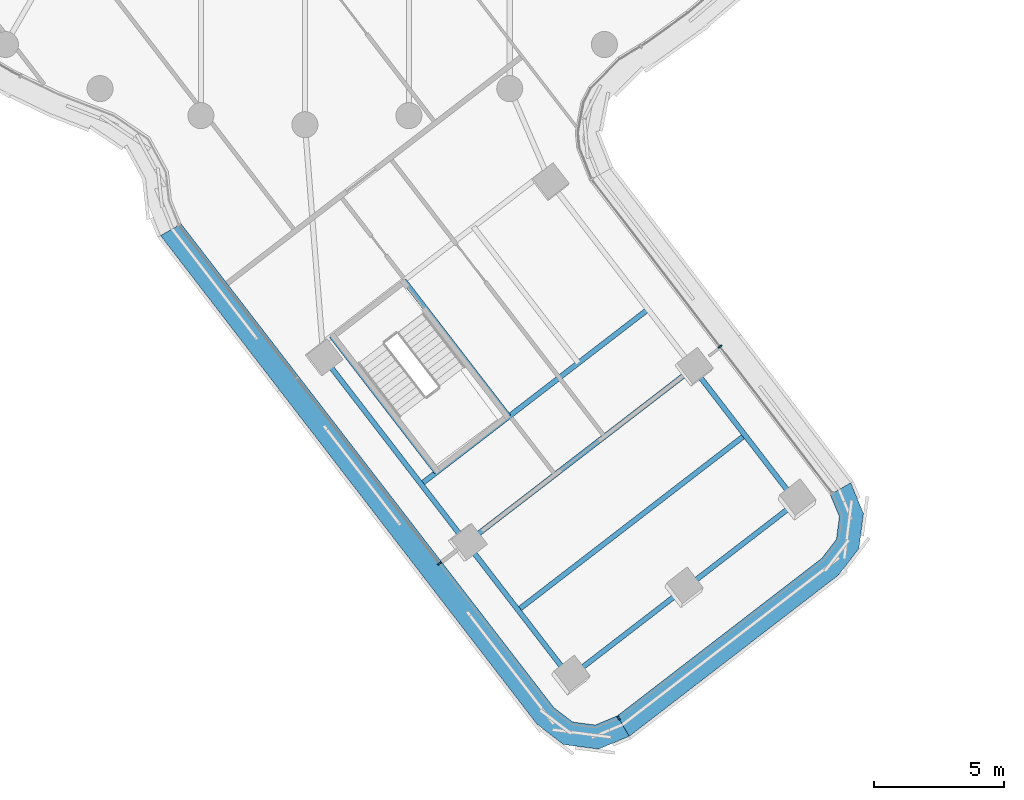
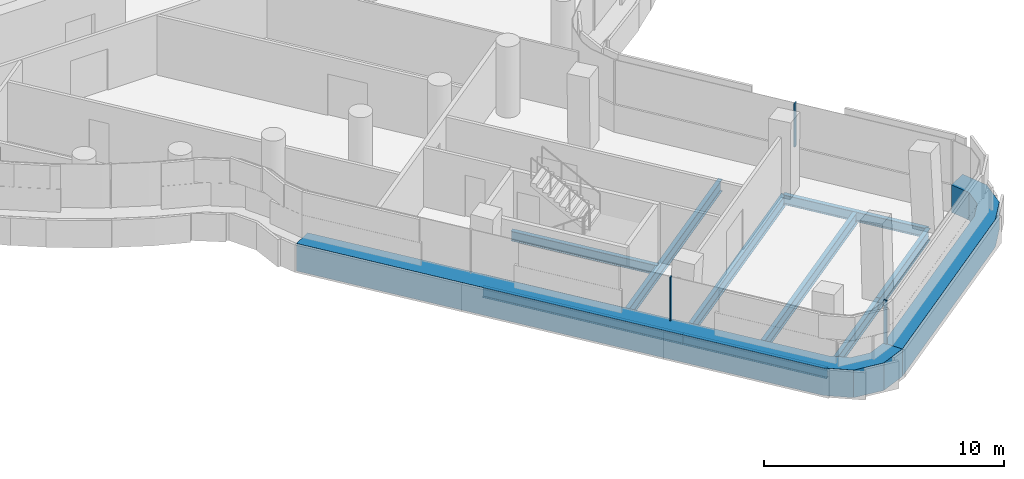
# One storey, part 4 of 33: 10 beams, 5 members, 3 elements without a shape of their own.
"""IFC4 building model written with IfcOpenShell, lengths in metres."""

import ifcopenshell
import ifcopenshell.guid

model = None  # the IFC model being written
_history = None  # IfcOwnerHistory: only IFC2X3 demands one
_inside = {}  # id of a spatial element -> (the spatial element, [elements in it])
_under = {}  # id of a project, library or spatial element -> (it, [spatial elements below it])
_declared = {}  # id of a project -> (the project, [libraries it declares])
_typed = {}  # id of a type object -> (the type object, [elements of that type])
_made_of = {}  # id of a material, layer set ... -> (it, [elements and type objects made of it])


def new_model(schema):
    """Start an empty IFC model of exactly this schema.

    Asked for "IFC4X3", IfcOpenShell would pick the latest addendum, in which some entities
    have other attributes; the version numbers below select the first issue.
    IFC2X3 requires an IfcOwnerHistory on every rooted entity: one is made here for all.
    """
    global model, _history
    if schema == "IFC4X3":
        model = ifcopenshell.file(schema_version=(4, 3, 0, 0))
    else:
        model = ifcopenshell.file(schema=schema)
    _inside.clear()
    _under.clear()
    _declared.clear()
    _typed.clear()
    _made_of.clear()
    _history = None
    if model.schema == "IFC2X3":
        org = make("IfcOrganization", Name="unknown")
        user = make(
            "IfcPersonAndOrganization",
            ThePerson=make("IfcPerson", FamilyName="unknown"),
            TheOrganization=org,
        )
        app = make(
            "IfcApplication",
            ApplicationDeveloper=org,
            Version="unknown",
            ApplicationFullName="unknown",
            ApplicationIdentifier="unknown",
        )
        _history = make(
            "IfcOwnerHistory",
            OwningUser=user,
            OwningApplication=app,
            ChangeAction="ADDED",
            CreationDate=0,
        )
    return model


def make(cls, **values):
    """One entity of the class cls with the attributes given. An attribute that is None is left unset."""
    return model.create_entity(
        cls, **{name: value for name, value in values.items() if value is not None}
    )


def rooted(cls, **values):
    """An entity with a GlobalId (a new one), such as an element, a storey or a relation."""
    return make(cls, GlobalId=ifcopenshell.guid.new(), OwnerHistory=_history, **values)


def si_unit(unit_type, name, prefix=None):
    """IfcSIUnit, for example si_unit("LENGTHUNIT", "METRE", prefix="MILLI")."""
    return make("IfcSIUnit", UnitType=unit_type, Prefix=prefix, Name=name)


def assignment(units):
    """IfcUnitAssignment: the units of a project."""
    return None if units is None else make("IfcUnitAssignment", Units=units)


def point(xyz):
    """IfcCartesianPoint."""
    return None if xyz is None else make("IfcCartesianPoint", Coordinates=xyz)


def direction(xyz):
    """IfcDirection."""
    return None if xyz is None else make("IfcDirection", DirectionRatios=xyz)


def frame(location, z_axis=None, x_axis=None):
    """IfcAxis2Placement3D, a coordinate frame: its origin and axes. An axis left out is left unset."""
    return make(
        "IfcAxis2Placement3D",
        Location=point(location),
        Axis=direction(z_axis),
        RefDirection=direction(x_axis),
    )


def frame_2d(location, x_axis=None):
    """IfcAxis2Placement2D, a coordinate frame in the plane: its origin and x axis."""
    return make(
        "IfcAxis2Placement2D", Location=point(location), RefDirection=direction(x_axis)
    )


def origin():
    """The frame at (0, 0, 0) with its axes left unset."""
    return frame((0.0, 0.0, 0.0))


def origin_2d():
    """The frame at (0, 0) in the plane with its x axis left unset."""
    return frame_2d((0.0, 0.0))


def place(relative_to, where):
    """IfcLocalPlacement: puts the frame where relative to a parent placement (None: the world)."""
    return make(
        "IfcLocalPlacement", PlacementRelTo=relative_to, RelativePlacement=where
    )


def context(
    kind, dimensions, precision=None, world=None, true_north=None, identifier=None
):
    """IfcGeometricRepresentationContext, for example the 3D "Model" context."""
    return make(
        "IfcGeometricRepresentationContext",
        ContextIdentifier=identifier,
        ContextType=kind,
        CoordinateSpaceDimension=dimensions,
        Precision=precision,
        WorldCoordinateSystem=world,
        TrueNorth=true_north,
    )


def subcontext(parent, identifier, kind, view, scale=None):
    """IfcGeometricRepresentationSubContext, for example "Body" below "Model"."""
    return make(
        "IfcGeometricRepresentationSubContext",
        ContextIdentifier=identifier,
        ContextType=kind,
        ParentContext=parent,
        TargetScale=scale,
        TargetView=view,
    )


def project(units=None, contexts=None):
    """IfcProject with its units and contexts."""
    return rooted(
        "IfcProject",
        Name="project",
        RepresentationContexts=contexts,
        UnitsInContext=assignment(units),
    )


def spatial(cls, under=None, at=None, **own):
    """A site, building, storey or space (cls), placed at a placement, below another one or the project."""
    s = rooted(cls, ObjectPlacement=at, **own)
    if under is not None:
        _under.setdefault(under.id(), (under, []))[1].append(s)
    return s


def polyline(points):
    """IfcPolyline through the points."""
    return make("IfcPolyline", Points=[point(p) for p in points])


def profile(cls, at=None, kind="AREA", **sizes):
    """A parametric profile (cls). Its sizes go by their IFC names, for example OverallWidth=200.0."""
    return make(cls, ProfileType=kind, Position=at, **sizes)


def rectangle(**sizes):
    """IfcRectangleProfileDef."""
    return profile("IfcRectangleProfileDef", **sizes)


def i_section(**sizes):
    """IfcIShapeProfileDef."""
    return profile("IfcIShapeProfileDef", **sizes)


def outline(outer, holes=None, kind="AREA"):
    """IfcArbitraryClosedProfileDef: a profile drawn as a closed curve; with holes, ...WithVoids."""
    if holes is None:
        return make("IfcArbitraryClosedProfileDef", ProfileType=kind, OuterCurve=outer)
    return make(
        "IfcArbitraryProfileDefWithVoids",
        ProfileType=kind,
        OuterCurve=outer,
        InnerCurves=holes,
    )


def extrude(swept, where, along, depth):
    """IfcExtrudedAreaSolid: the profile swept, set in the frame where, extruded along a direction by depth."""
    return make(
        "IfcExtrudedAreaSolid",
        SweptArea=swept,
        Position=where,
        ExtrudedDirection=direction(along),
        Depth=depth,
    )


def shape(context_of_items, identifier, shape_type, items):
    """IfcShapeRepresentation: the items that make up one representation, for example the "Body"."""
    return make(
        "IfcShapeRepresentation",
        ContextOfItems=context_of_items,
        RepresentationIdentifier=identifier,
        RepresentationType=shape_type,
        Items=items,
    )


def material(Name=None, Category=None):
    """IfcMaterial."""
    return make("IfcMaterial", Name=Name, Category=Category)


def layer(
    of_material, thickness, ventilated=None, Name=None, Category=None, Priority=None
):
    """IfcMaterialLayer: one layer of a wall or slab, of a material (None: an air gap)."""
    return make(
        "IfcMaterialLayer",
        Material=of_material,
        LayerThickness=thickness,
        IsVentilated=ventilated,
        Name=Name,
        Category=Category,
        Priority=Priority,
    )


def layer_set(layers, Name=None):
    """IfcMaterialLayerSet."""
    return make("IfcMaterialLayerSet", MaterialLayers=layers, LayerSetName=Name)


def material_profile(
    of_material, cross_section, Name=None, Category=None, Priority=None
):
    """IfcMaterialProfile: a cross section and its material."""
    return make(
        "IfcMaterialProfile",
        Name=Name,
        Material=of_material,
        Profile=cross_section,
        Priority=Priority,
        Category=Category,
    )


def profile_set(profiles, Name=None, composite=None):
    """IfcMaterialProfileSet."""
    return make(
        "IfcMaterialProfileSet",
        Name=Name,
        MaterialProfiles=profiles,
        CompositeProfile=composite,
    )


def made_of(thing, what):
    """Note that an element or type object is made of a material, layer set ...; save() writes the relation."""
    if what is not None:
        _made_of.setdefault(what.id(), (what, []))[1].append(thing)
    return thing


def type_object(cls, material=None, **own):
    """A type object (cls), such as IfcWallType, which elements share."""
    return made_of(rooted(cls, **own), material)


def element(
    cls,
    number,
    at=None,
    inside=None,
    cuts=None,
    type_object=None,
    material=None,
    context=None,
    identifier="Body",
    shape_type=None,
    held_by="IfcProductDefinitionShape",
    body=None,
    shapes=None,
    **own,
):
    """One element of the class cls, such as IfcWall. Its Tag is "e" and its number.

    at: its placement. inside: the storey or other place that contains it. cuts: it is an
    opening in that element (IfcRelVoidsElement). A single representation is given by context,
    identifier, shape_type and body (its items); several are given by shapes. held_by: the class
    of the entity that holds the representations. save() writes the other relations.
    """
    e = rooted(cls, Tag="e%d" % number, ObjectPlacement=at, **own)
    if body is not None:
        shapes = [shape(context, identifier, shape_type, body)]
    if shapes is not None:
        e.Representation = make(held_by, Representations=shapes)
    if inside is not None:
        _inside.setdefault(inside.id(), (inside, []))[1].append(e)
    if cuts is not None:
        rooted(
            "IfcRelVoidsElement", RelatingBuildingElement=cuts, RelatedOpeningElement=e
        )
    if type_object is not None:
        _typed.setdefault(type_object.id(), (type_object, []))[1].append(e)
    return made_of(e, material)


def aggregate(whole, parts):
    """IfcRelAggregates: a whole, such as a stair, and the parts it consists of."""
    return rooted("IfcRelAggregates", RelatingObject=whole, RelatedObjects=parts)


def save(model, path):
    """Write the relations noted so far, then the file.

    IfcRelAggregates (storeys below a building ...), IfcRelContainedInSpatialStructure (elements
    in a storey), IfcRelDefinesByType, IfcRelAssociatesMaterial and IfcRelDeclares: one each for
    every whole, place, type object, material and project.
    """
    for whole, parts in _under.values():
        aggregate(whole, parts)
    for where, things in _inside.values():
        rooted(
            "IfcRelContainedInSpatialStructure",
            RelatedElements=things,
            RelatingStructure=where,
        )
    for kind, things in _typed.values():
        rooted("IfcRelDefinesByType", RelatedObjects=things, RelatingType=kind)
    for what, things in _made_of.values():
        rooted("IfcRelAssociatesMaterial", RelatedObjects=things, RelatingMaterial=what)
    for by, libraries in _declared.values():
        rooted("IfcRelDeclares", RelatingContext=by, RelatedDefinitions=libraries)
    model.write(path)


model = new_model("IFC4")

# Units and contexts
model_context = context("Model", 3, precision=1e-05, world=origin(), true_north=direction((0.0, 1.0)))
body_context = subcontext(model_context, "Body", "Model", "MODEL_VIEW")
ifc_project = project(units=[si_unit("LENGTHUNIT", "METRE"), si_unit("AREAUNIT", "SQUARE_METRE"), si_unit("VOLUMEUNIT", "CUBIC_METRE"), si_unit("PLANEANGLEUNIT", "RADIAN"), si_unit("MASSUNIT", "GRAM", prefix="KILO")], contexts=[model_context])

# Site, building, storey
site_placement = place(None, origin())
site = spatial("IfcSite", under=ifc_project, at=site_placement, CompositionType="ELEMENT")
building_placement = place(site_placement, origin())
building = spatial("IfcBuilding", under=site, at=building_placement, Name="Tamarind Cross Interchange Tower", CompositionType="ELEMENT")
storey_placement = place(building_placement, frame((0.0, 0.0, 170.5)))
storey = spatial("IfcBuildingStorey", under=building, at=storey_placement, Name="L42", CompositionType="ELEMENT", Elevation=170.5)

# Beams
ifc_material_1 = material(Name="Steel Q355B", Category="steel")
ifc_material_profile_1 = material_profile(ifc_material_1, i_section(OverallWidth=0.198974609375, OverallDepth=0.49609375, WebThickness=0.009033203125, FlangeThickness=0.013916015625, FilletRadius=0.012939453125, at=origin_2d()), Name="HN 496x199x9x14")
ifc_profile_set_1 = profile_set([ifc_material_profile_1], Name="Steel Q355B")
beam_type_1 = type_object("IfcBeamType", Name="Composite beam HN 496x199x9x14 Q355B", PredefinedType="BEAM", material=ifc_profile_set_1)
beam_1_placement = place(storey_placement, frame((10.17138671875, -44.21337890625, -0.387939453125), z_axis=(-0.610327330684, 0.792149322679, 0.0), x_axis=(-0.792149322679, -0.610327330684, 0.0)))
element("IfcBeam", 1, at=beam_1_placement, inside=storey, type_object=beam_type_1, Name="Beam S-edgeem5", PredefinedType="BEAM", context=body_context, shape_type="SweptSolid", body=[
    extrude(i_section(OverallWidth=0.198974609375, OverallDepth=0.49609375, WebThickness=0.009033203125, FlangeThickness=0.013916015625, FilletRadius=0.012939453125, at=origin_2d()), origin(), (0.0, 0.0, 1.0), 6.504150390625),
])
beam_2_placement = place(storey_placement, frame((6.20166015625, -39.06103515625, -0.387939453125), z_axis=(-0.610322794486, 0.792152817662, 0.0), x_axis=(-0.792152817662, -0.610322794486, 0.0)))
element("IfcBeam", 2, at=beam_2_placement, inside=storey, type_object=beam_type_1, Name="Beam S-edgeem6", PredefinedType="BEAM", context=body_context, shape_type="SweptSolid", body=[
    extrude(i_section(OverallWidth=0.198974609375, OverallDepth=0.49609375, WebThickness=0.009033203125, FlangeThickness=0.013916015625, FilletRadius=0.012939453125, at=origin_2d()), origin(), (0.0, 0.0, 1.0), 9.0),
])
beam_3_placement = place(storey_placement, frame((18.885009765625, -37.499755859375, -0.387939453125), z_axis=(-0.610303776324, 0.79216747005, 0.0), x_axis=(-0.79216747005, -0.610303776324, 0.0)))
element("IfcBeam", 3, at=beam_3_placement, inside=storey, type_object=beam_type_1, Name="Beam S-edgeep2", PredefinedType="BEAM", context=body_context, shape_type="SweptSolid", body=[
    extrude(i_section(OverallWidth=0.198974609375, OverallDepth=0.49609375, WebThickness=0.009033203125, FlangeThickness=0.013916015625, FilletRadius=0.012939453125, at=origin_2d()), origin(), (0.0, 0.0, 1.0), 6.504150390625),
])
for number, where, z_axis, x_axis, name in (
    (4, (1.0283203125, -31.117431640625, -0.387939453125), (0.610313027776, -0.792160342435, 0.0), (0.792160342435, 0.610313027776, 0.0), "Beam S-tr0"),
    (5, (3.80078125, -28.981201171875, -0.387939453125), (0.610313027776, -0.792160342435, 0.0), (0.792160342435, 0.610313027776, 0.0), "Beam S-tr1"),
):
    element("IfcBeam", number, at=place(storey_placement, frame(where, z_axis=z_axis, x_axis=x_axis)), inside=storey, type_object=beam_type_1, Name=name, PredefinedType="BEAM", context=body_context, shape_type="SweptSolid", body=[
        extrude(i_section(OverallWidth=0.198974609375, OverallDepth=0.49609375, WebThickness=0.009033203125, FlangeThickness=0.013916015625, FilletRadius=0.012939453125, at=origin_2d()), origin(), (0.0, 0.0, 1.0), 6.60009765625),
    ])
ifc_material_profile_2 = material_profile(ifc_material_1, i_section(OverallWidth=0.199951171875, OverallDepth=0.60009765625, WebThickness=0.010986328125, FlangeThickness=0.01708984375, FilletRadius=0.012939453125, at=origin_2d()), Name="HN 600x200x11x17")
ifc_profile_set_2 = profile_set([ifc_material_profile_2], Name="Steel Q355B")
beam_type_2 = type_object("IfcBeamType", Name="Composite beam HN 600x200x11x17 Q355B", PredefinedType="BEAM", material=ifc_profile_set_2)
beam_4_placement = place(storey_placement, frame((10.17138671875, -44.21337890625, -0.43994140625), z_axis=(0.792145214472, 0.610332662725, 0.0), x_axis=(-0.610332662725, 0.792145214472, 0.0)))
element("IfcBeam", 6, at=beam_4_placement, inside=storey, type_object=beam_type_2, Name="Beam S-tip0", PredefinedType="BEAM", context=body_context, shape_type="SweptSolid", body=[
    extrude(i_section(OverallWidth=0.199951171875, OverallDepth=0.60009765625, WebThickness=0.010986328125, FlangeThickness=0.01708984375, FilletRadius=0.012939453125, at=origin_2d()), origin(), (0.0, 0.0, 1.0), 5.500244140625),
])
beam_5_placement = place(storey_placement, frame((14.5283203125, -40.8564453125, -0.43994140625), z_axis=(0.792150140299, 0.610326269486, 0.0), x_axis=(-0.610326269486, 0.792150140299, 0.0)))
element("IfcBeam", 7, at=beam_5_placement, inside=storey, type_object=beam_type_2, Name="Beam S-tip1", PredefinedType="BEAM", context=body_context, shape_type="SweptSolid", body=[
    extrude(i_section(OverallWidth=0.199951171875, OverallDepth=0.60009765625, WebThickness=0.010986328125, FlangeThickness=0.01708984375, FilletRadius=0.012939453125, at=origin_2d()), origin(), (0.0, 0.0, 1.0), 5.499755859375),
])
beam_6_placement = place(storey_placement, frame((4.46240234375, -36.803466796875, -0.43994140625), z_axis=(0.792147677315, 0.61032946621, 0.0), x_axis=(-0.61032946621, 0.792147677315, 0.0)))
element("IfcBeam", 8, at=beam_6_placement, inside=storey, type_object=beam_type_2, Name="Beam S-x364", PredefinedType="BEAM", context=body_context, shape_type="SweptSolid", body=[
    extrude(i_section(OverallWidth=0.199951171875, OverallDepth=0.60009765625, WebThickness=0.010986328125, FlangeThickness=0.01708984375, FilletRadius=0.012939453125, at=origin_2d()), origin(), (0.0, 0.0, 1.0), 11.0),
])
beam_7_placement = place(storey_placement, frame((6.20166015625, -39.06103515625, -0.43994140625), z_axis=(0.792155944634, 0.610318735893, 0.0), x_axis=(-0.610318735893, 0.792155944634, 0.0)))
element("IfcBeam", 9, at=beam_7_placement, inside=storey, type_object=beam_type_2, Name="Beam S-x393", PredefinedType="BEAM", context=body_context, shape_type="SweptSolid", body=[
    extrude(i_section(OverallWidth=0.199951171875, OverallDepth=0.60009765625, WebThickness=0.010986328125, FlangeThickness=0.01708984375, FilletRadius=0.012939453125, at=origin_2d()), origin(), (0.0, 0.0, 1.0), 11.000244140625),
])
beam_8_placement = place(storey_placement, frame((8.1865234375, -41.63720703125, -0.43994140625), z_axis=(0.792147677315, 0.61032946621, 0.0), x_axis=(-0.61032946621, 0.792147677315, 0.0)))
element("IfcBeam", 10, at=beam_8_placement, inside=storey, type_object=beam_type_2, Name="Beam S-x426", PredefinedType="BEAM", context=body_context, shape_type="SweptSolid", body=[
    extrude(i_section(OverallWidth=0.199951171875, OverallDepth=0.60009765625, WebThickness=0.010986328125, FlangeThickness=0.01708984375, FilletRadius=0.012939453125, at=origin_2d()), origin(), (0.0, 0.0, 1.0), 11.0),
])

# Curtain wall, member
ifc_material_2 = material(Name="Aluminium 6063-T6", Category="aluminium")
ifc_layer = layer(ifc_material_2, 0.159912109375)
ifc_layer_set = layer_set([ifc_layer], Name="Aluminium 6063-T6")
curtain_wall_type = type_object("IfcCurtainWallType", Name="Office curtain wall, 9.0 m bays", PredefinedType="NOTDEFINED", material=ifc_layer_set)
curtain_wall_1_placement = place(storey_placement, origin())
curtain_wall_1 = element("IfcCurtainWall", 11, at=curtain_wall_1_placement, inside=storey, type_object=curtain_wall_type, Name="CWS-L42-11", PredefinedType="NOTDEFINED")
ifc_material_3 = material(Name="Aluminium and insulated spandrel panel", Category="aluminium")
member_type_1 = type_object("IfcMemberType", Name="Floor-edge blade transom", PredefinedType="USERDEFINED", material=ifc_material_3)
member_1_placement = place(storey_placement, origin())
member_1 = element("IfcMember", 12, at=member_1_placement, type_object=member_type_1, Name="CWT-L42-11", ObjectType="TRANSOM", PredefinedType="USERDEFINED", context=body_context, shape_type="SweptSolid", body=[
    extrude(outline(polyline([(-4.75390625, -26.8076171875), (9.558349609375, -45.3837890625), (10.28564453125, -45.939697265625), (11.15283203125, -46.052001953125), (11.997802734375, -45.699951171875), (12.453369140625, -46.4853515625), (11.2763671875, -46.9755859375), (9.9306640625, -46.801025390625), (8.917724609375, -46.02685546875), (-5.542724609375, -27.25830078125), (-4.75390625, -26.8076171875)])), origin(), (0.0, 0.0, 1.0), 1.39990234375),
])

curtain_wall_2_placement = place(storey_placement, origin())
curtain_wall_2 = element("IfcCurtainWall", 13, at=curtain_wall_2_placement, inside=storey, type_object=curtain_wall_type, Name="CWS-L42-12", PredefinedType="NOTDEFINED")
member_2_placement = place(storey_placement, origin())
member_2 = element("IfcMember", 14, at=member_2_placement, type_object=member_type_1, Name="CWT-L42-12", ObjectType="TRANSOM", PredefinedType="USERDEFINED", context=body_context, shape_type="SweptSolid", body=[
    extrude(outline(polyline([(11.997802734375, -45.699951171875), (19.85693359375, -39.64501953125), (20.41259765625, -38.917724609375), (20.525146484375, -38.050537109375), (20.173095703125, -37.205078125), (20.958740234375, -36.750732421875), (21.44873046875, -37.927001953125), (21.274169921875, -39.272705078125), (20.5, -40.28564453125), (12.453369140625, -46.4853515625), (11.997802734375, -45.699951171875)])), origin(), (0.0, 0.0, 1.0), 1.39990234375),
])

# Member
ifc_material_profile_3 = material_profile(ifc_material_2, rectangle(XDim=0.06005859375, YDim=0.159912109375, at=origin_2d()), Name="Mullion CW1")
ifc_profile_set_3 = profile_set([ifc_material_profile_3], Name="Aluminium 6063-T6")
member_type_2 = type_object("IfcMemberType", Name="Mullion CW1", PredefinedType="MULLION", material=ifc_profile_set_3)
member_3_placement = place(storey_placement, frame((5.165771484375, -39.846435546875, 1.39990234375), z_axis=(0.0, 0.0, 1.0), x_axis=(0.610322147879, -0.792153315847, 0.0)))
member_3 = element("IfcMember", 15, at=member_3_placement, type_object=member_type_2, Name="CWM-L42-11-02", PredefinedType="MULLION", context=body_context, shape_type="SweptSolid", body=[
    extrude(rectangle(XDim=0.06005859375, YDim=0.159912109375, at=origin_2d()), origin(), (0.0, 0.0, 1.0), 2.210205078125),
])

aggregate(curtain_wall_1, [member_3, member_1])

member_4_placement = place(storey_placement, frame((12.048583984375, -45.787353515625, 1.39990234375), z_axis=(0.0, 0.0, 1.0), x_axis=(0.865039360407, 0.501704001325, 0.0)))
member_4 = element("IfcMember", 16, at=member_4_placement, type_object=member_type_2, Name="CWM-L42-12-00", PredefinedType="MULLION", context=body_context, shape_type="SweptSolid", body=[
    extrude(rectangle(XDim=0.06005859375, YDim=0.159912109375, at=origin_2d()), origin(), (0.0, 0.0, 1.0), 2.210205078125),
])

aggregate(curtain_wall_2, [member_4, member_2])

# Curtain wall, member
curtain_wall_3_placement = place(storey_placement, origin())
curtain_wall_3 = element("IfcCurtainWall", 17, at=curtain_wall_3_placement, inside=storey, type_object=curtain_wall_type, Name="CWS-L42-13", PredefinedType="NOTDEFINED")
member_5_placement = place(storey_placement, frame((15.94287109375, -31.52099609375, 1.39990234375), z_axis=(0.0, 0.0, 1.0), x_axis=(-0.608276615198, 0.793725115769, 0.0)))
member_5 = element("IfcMember", 18, at=member_5_placement, type_object=member_type_2, Name="CWM-L42-13-01", PredefinedType="MULLION", context=body_context, shape_type="SweptSolid", body=[
    extrude(rectangle(XDim=0.06005859375, YDim=0.159912109375, at=origin_2d()), origin(), (0.0, 0.0, 1.0), 2.210205078125),
])
aggregate(curtain_wall_3, [member_5])

save(model, "model.ifc")
